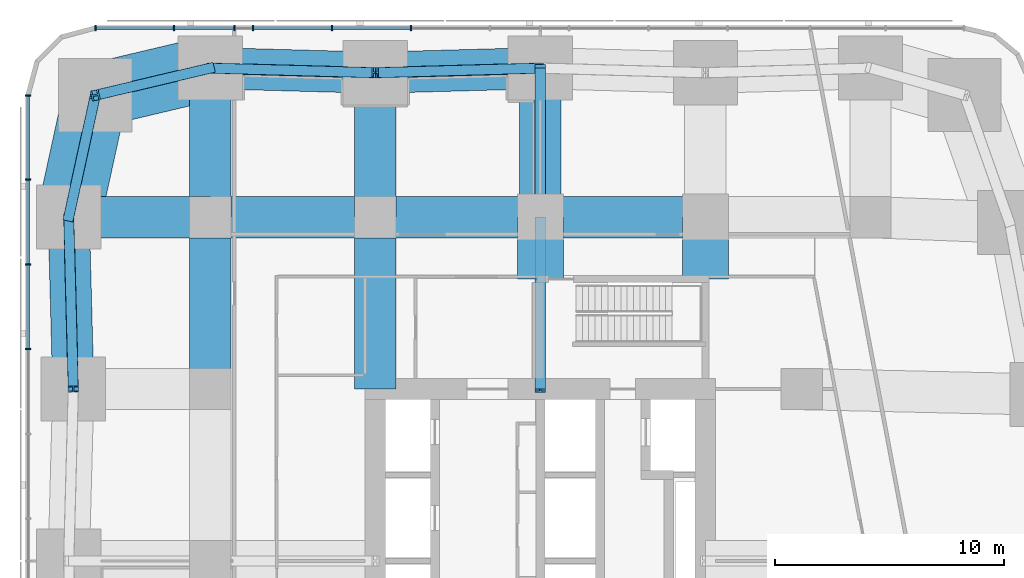
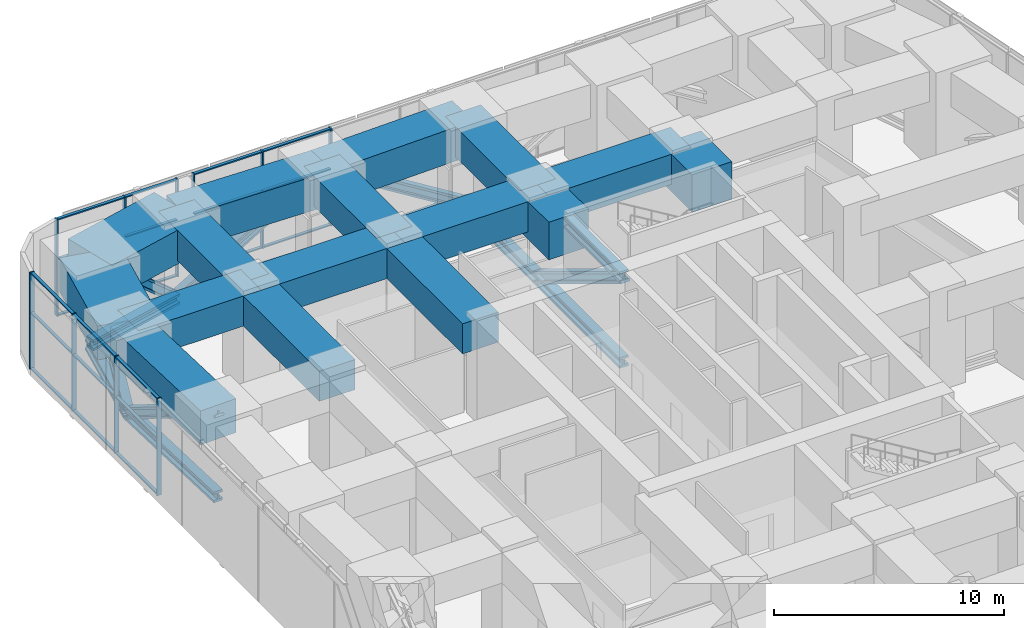
# One storey, part 7 of 20: 46 members, 16 beams, 2 elements without a shape of their own.
"""IFC4 building model written with IfcOpenShell, lengths in metres."""

from ifc_helpers import new_model, si_unit, direction, frame, origin, origin_2d, place, context, subcontext, project, spatial, rectangle, i_section, extrude, material, material_profile, profile_set, type_object, element, aggregate, save


model = new_model("IFC4")

# Units and contexts
model_context = context("Model", 3, precision=1e-05, world=origin(), true_north=direction((0.0, 1.0)))
body_context = subcontext(model_context, "Body", "Model", "MODEL_VIEW")
ifc_project = project(units=[si_unit("LENGTHUNIT", "METRE"), si_unit("AREAUNIT", "SQUARE_METRE"), si_unit("VOLUMEUNIT", "CUBIC_METRE"), si_unit("PLANEANGLEUNIT", "RADIAN"), si_unit("MASSUNIT", "GRAM", prefix="KILO")], contexts=[model_context])

# Site, building, storey
site_placement = place(None, origin())
site = spatial("IfcSite", under=ifc_project, at=site_placement, CompositionType="ELEMENT")
building_placement = place(site_placement, origin())
building = spatial("IfcBuilding", under=site, at=building_placement, Name="Sheger Commons Tower", CompositionType="ELEMENT")
storey_placement = place(building_placement, frame((0.0, 0.0, 72.5)))
storey = spatial("IfcBuildingStorey", under=building, at=storey_placement, Name="L18", CompositionType="ELEMENT", Elevation=72.5)

# Beams
ifc_material_1 = material(Name="Concrete C50/60", Category="concrete")
ifc_material_profile_1 = material_profile(ifc_material_1, rectangle(XDim=1.800048828125, YDim=1.60009765625, at=origin_2d()), Name="RC 1800x1600")
ifc_profile_set_1 = profile_set([ifc_material_profile_1], Name="Concrete C50/60")
beam_type_1 = type_object("IfcBeamType", Name="BEAM RC 1800x1600", PredefinedType="BEAM", material=ifc_profile_set_1)
beam_1_placement = place(storey_placement, frame((1.02490234375, 37.5, 4.35009765625), z_axis=(1.0, 0.0, 0.0), x_axis=(0.0, 1.0, 0.0)))
element("IfcBeam", 1, at=beam_1_placement, inside=storey, type_object=beam_type_1, Name="Beam 1/F-2/F under L19", PredefinedType="BEAM", context=body_context, shape_type="SweptSolid", body=[
    extrude(rectangle(XDim=1.800048828125, YDim=1.60009765625, at=origin_2d()), origin(), (0.0, 0.0, 1.0), 6.175048828125),
])
beam_2_placement = place(storey_placement, frame((7.199951171875, 37.5, 4.35009765625), z_axis=(1.0, 0.0, 0.0), x_axis=(0.0, 1.0, 0.0)))
element("IfcBeam", 2, at=beam_2_placement, inside=storey, type_object=beam_type_1, Name="Beam 2/F-3/F under L19", PredefinedType="BEAM", context=body_context, shape_type="SweptSolid", body=[
    extrude(rectangle(XDim=1.800048828125, YDim=1.60009765625, at=origin_2d()), origin(), (0.0, 0.0, 1.0), 7.199951171875),
])
beam_3_placement = place(storey_placement, frame((14.39990234375, 37.5, 4.35009765625), z_axis=(1.0, 0.0, 0.0), x_axis=(0.0, 1.0, 0.0)))
element("IfcBeam", 3, at=beam_3_placement, inside=storey, type_object=beam_type_1, Name="Beam 3/F-4/F under L19", PredefinedType="BEAM", context=body_context, shape_type="SweptSolid", body=[
    extrude(rectangle(XDim=1.800048828125, YDim=1.60009765625, at=origin_2d()), origin(), (0.0, 0.0, 1.0), 7.2001953125),
])
beam_4_placement = place(storey_placement, frame((21.60009765625, 37.5, 4.35009765625), z_axis=(1.0, 0.0, 0.0), x_axis=(0.0, 1.0, 0.0)))
element("IfcBeam", 4, at=beam_4_placement, inside=storey, type_object=beam_type_1, Name="Beam 4/F-5/F under L19", PredefinedType="BEAM", context=body_context, shape_type="SweptSolid", body=[
    extrude(rectangle(XDim=1.800048828125, YDim=1.60009765625, at=origin_2d()), origin(), (0.0, 0.0, 1.0), 7.199951171875),
])
beam_5_placement = place(storey_placement, frame((7.199951171875, 30.0, 4.35009765625), z_axis=(0.0, 1.0, 0.0), x_axis=(-1.0, 0.0, 0.0)))
element("IfcBeam", 5, at=beam_5_placement, inside=storey, type_object=beam_type_1, Name="Beam 2/E-2/F under L19", PredefinedType="BEAM", context=body_context, shape_type="SweptSolid", body=[
    extrude(rectangle(XDim=1.800048828125, YDim=1.60009765625, at=origin_2d()), origin(), (0.0, 0.0, 1.0), 7.5),
])
beam_6_placement = place(storey_placement, frame((7.199951171875, 37.5, 4.35009765625), z_axis=(0.0, 1.0, 0.0), x_axis=(-1.0, 0.0, 0.0)))
element("IfcBeam", 6, at=beam_6_placement, inside=storey, type_object=beam_type_1, Name="Beam 2/F-2/G under L19", PredefinedType="BEAM", context=body_context, shape_type="SweptSolid", body=[
    extrude(rectangle(XDim=1.800048828125, YDim=1.60009765625, at=origin_2d()), origin(), (0.0, 0.0, 1.0), 6.5),
])
beam_7_placement = place(storey_placement, frame((14.39990234375, 30.0, 4.35009765625), z_axis=(0.0, 1.0, 0.0), x_axis=(-1.0, 0.0, 0.0)))
element("IfcBeam", 7, at=beam_7_placement, inside=storey, type_object=beam_type_1, Name="Beam 3/E-3/F under L19", PredefinedType="BEAM", context=body_context, shape_type="SweptSolid", body=[
    extrude(rectangle(XDim=1.800048828125, YDim=1.60009765625, at=origin_2d()), origin(), (0.0, 0.0, 1.0), 7.5),
])
beam_8_placement = place(storey_placement, frame((14.39990234375, 37.5, 4.35009765625), z_axis=(0.0, 1.0, 0.0), x_axis=(-1.0, 0.0, 0.0)))
element("IfcBeam", 8, at=beam_8_placement, inside=storey, type_object=beam_type_1, Name="Beam 3/F-3/G under L19", PredefinedType="BEAM", context=body_context, shape_type="SweptSolid", body=[
    extrude(rectangle(XDim=1.800048828125, YDim=1.60009765625, at=origin_2d()), origin(), (0.0, 0.0, 1.0), 6.300048828125),
])
beam_9_placement = place(storey_placement, frame((21.60009765625, 37.5, 4.35009765625), z_axis=(0.0, 1.0, 0.0), x_axis=(-1.0, 0.0, 0.0)))
element("IfcBeam", 9, at=beam_9_placement, inside=storey, type_object=beam_type_1, Name="Beam 4/F-4/G under L19", PredefinedType="BEAM", context=body_context, shape_type="SweptSolid", body=[
    extrude(rectangle(XDim=1.800048828125, YDim=1.60009765625, at=origin_2d()), origin(), (0.0, 0.0, 1.0), 6.5),
])
ifc_material_2 = material(Name="Concrete C50/60", Category="concrete")
ifc_material_profile_2 = material_profile(ifc_material_2, rectangle(XDim=2.0, YDim=2.0, at=origin_2d()), Name="RC 2000x2000")
ifc_profile_set_2 = profile_set([ifc_material_profile_2], Name="Concrete C50/60")
beam_type_2 = type_object("IfcBeamType", Name="BEAM RC 2000x2000", PredefinedType="BEAM", material=ifc_profile_set_2)
for number, where, z_axis, x_axis, name in (
    (10, (21.60009765625, 34.800048828125, 4.14990234375), (0.0, 1.0, 0.0), (-1.0, 0.0, 0.0), "Beam 21.600,34.800-4/F under L19"),
    (11, (28.800048828125, 34.800048828125, 4.14990234375), (0.0, 1.0, 0.0), (-1.0, 0.0, 0.0), "Beam 28.800,34.800-5/F under L19"),
):
    element("IfcBeam", number, at=place(storey_placement, frame(where, z_axis=z_axis, x_axis=x_axis)), inside=storey, type_object=beam_type_2, Name=name, PredefinedType="BEAM", context=body_context, shape_type="SweptSolid", body=[
        extrude(rectangle(XDim=2.0, YDim=2.0, at=origin_2d()), origin(), (0.0, 0.0, 1.0), 2.699951171875),
    ])

# Members
ifc_material_3 = material(Name="Steel S460", Category="steel")
ifc_material_profile_3 = material_profile(ifc_material_3, i_section(OverallWidth=0.4541015625, OverallDepth=0.569091796875, WebThickness=0.077880859375, FlangeThickness=0.125, at=origin_2d()), Name="HD 400x1086")
ifc_profile_set_3 = profile_set([ifc_material_profile_3], Name="Steel S460")
member_type_1 = type_object("IfcMemberType", Name="BRACE HD 400x1086", PredefinedType="BRACE", material=ifc_profile_set_3)
member_1_placement = place(storey_placement, frame((21.60009765625, 30.0, 4.85009765625), z_axis=(0.0, 0.85496560345, -0.518684698942), x_axis=(-1.0, 0.0, 0.0)))
element("IfcMember", 12, at=member_1_placement, inside=storey, type_object=member_type_1, Name="Outrigger N diagonal 1", PredefinedType="BRACE", context=body_context, shape_type="SweptSolid", body=[
    extrude(i_section(OverallWidth=0.4541015625, OverallDepth=0.569091796875, WebThickness=0.077880859375, FlangeThickness=0.125, at=origin_2d()), origin(), (0.0, 0.0, 1.0), 8.772216796875),
])
member_2_placement = place(storey_placement, frame((21.60009765625, 37.5, 4.85009765625), z_axis=(0.0, 0.819229029338, -0.5734664746), x_axis=(-1.0, 0.0, 0.0)))
element("IfcMember", 13, at=member_2_placement, inside=storey, type_object=member_type_1, Name="Outrigger N diagonal 2", PredefinedType="BRACE", context=body_context, shape_type="SweptSolid", body=[
    extrude(i_section(OverallWidth=0.4541015625, OverallDepth=0.569091796875, WebThickness=0.077880859375, FlangeThickness=0.125, at=origin_2d()), origin(), (0.0, 0.0, 1.0), 7.934326171875),
])
ifc_material_4 = material(Name="Steel S460", Category="steel")
ifc_material_profile_4 = material_profile(ifc_material_4, i_section(OverallWidth=0.44189453125, OverallDepth=0.531005859375, WebThickness=0.06591796875, FlangeThickness=0.10595703125, at=origin_2d()), Name="HD 400x900")
ifc_profile_set_4 = profile_set([ifc_material_profile_4], Name="Steel S460")
member_type_2 = type_object("IfcMemberType", Name="BRACE HD 400x900", PredefinedType="BRACE", material=ifc_profile_set_4)
member_3_placement = place(storey_placement, frame((21.60009765625, 44.0, 0.300048828125), z_axis=(-0.845120489013, -0.023469201156, 0.534060441942), x_axis=(0.027759540951, -0.999614629688, 0.0)))
element("IfcMember", 14, at=member_3_placement, inside=storey, type_object=member_type_2, Name="Belt truss diagonal 21.600,44.000-14.400,43.800", PredefinedType="BRACE", context=body_context, shape_type="SweptSolid", body=[
    extrude(i_section(OverallWidth=0.44189453125, OverallDepth=0.531005859375, WebThickness=0.06591796875, FlangeThickness=0.10595703125, at=origin_2d()), origin(), (0.0, 0.0, 1.0), 8.519775390625),
])
member_4_placement = place(storey_placement, frame((7.199951171875, 44.0, 0.300048828125), z_axis=(0.845112299674, -0.023469769538, 0.534073375912), x_axis=(0.027760481514, 0.999614603568, 0.0)))
element("IfcMember", 15, at=member_4_placement, inside=storey, type_object=member_type_2, Name="Belt truss diagonal 14.400,43.800-7.200,44.000", PredefinedType="BRACE", context=body_context, shape_type="SweptSolid", body=[
    extrude(i_section(OverallWidth=0.44189453125, OverallDepth=0.531005859375, WebThickness=0.06591796875, FlangeThickness=0.10595703125, at=origin_2d()), origin(), (0.0, 0.0, 1.0), 8.51953125),
])
member_5_placement = place(storey_placement, frame((7.199951171875, 44.0, 0.300048828125), z_axis=(-0.729425342012, -0.172544593246, 0.661941865856), x_axis=(0.230195985701, -0.97314428949, 0.0)))
element("IfcMember", 16, at=member_5_placement, inside=storey, type_object=member_type_2, Name="Belt truss diagonal 7.200,44.000-2.186,42.814", PredefinedType="BRACE", context=body_context, shape_type="SweptSolid", body=[
    extrude(i_section(OverallWidth=0.44189453125, OverallDepth=0.531005859375, WebThickness=0.06591796875, FlangeThickness=0.10595703125, at=origin_2d()), origin(), (0.0, 0.0, 1.0), 6.873779296875),
])
member_6_placement = place(storey_placement, frame((1.02490234375, 37.5, 0.300048828125), z_axis=(0.163735815706, 0.749342675496, 0.641619932152), x_axis=(-0.976949769283, 0.213469314652, 0.0)))
element("IfcMember", 17, at=member_6_placement, inside=storey, type_object=member_type_2, Name="Belt truss diagonal 2.186,42.814-1+1025/F", PredefinedType="BRACE", context=body_context, shape_type="SweptSolid", body=[
    extrude(i_section(OverallWidth=0.44189453125, OverallDepth=0.531005859375, WebThickness=0.06591796875, FlangeThickness=0.10595703125, at=origin_2d()), origin(), (0.0, 0.0, 1.0), 7.091552734375),
])
member_7_placement = place(storey_placement, frame((1.02490234375, 37.5, 0.300048828125), z_axis=(0.022815406971, -0.854743051392, 0.518549682578), x_axis=(0.999643939919, 0.026683204125, 0.0)))
element("IfcMember", 18, at=member_7_placement, inside=storey, type_object=member_type_2, Name="Belt truss diagonal 1+1025/F-1+1225/E", PredefinedType="BRACE", context=body_context, shape_type="SweptSolid", body=[
    extrude(i_section(OverallWidth=0.44189453125, OverallDepth=0.531005859375, WebThickness=0.06591796875, FlangeThickness=0.10595703125, at=origin_2d()), origin(), (0.0, 0.0, 1.0), 8.774658203125),
])
ifc_material_5 = material(Name="Steel S460", Category="steel")
ifc_material_profile_5 = material_profile(ifc_material_5, i_section(OverallWidth=0.4541015625, OverallDepth=0.569091796875, WebThickness=0.077880859375, FlangeThickness=0.125, at=origin_2d()), Name="HD 400x1086")
ifc_profile_set_5 = profile_set([ifc_material_profile_5], Name="Steel S460")
member_type_3 = type_object("IfcMemberType", Name="CHORD HD 400x1086", PredefinedType="CHORD", material=ifc_profile_set_5)
member_8_placement = place(storey_placement, frame((21.60009765625, 44.0, 0.300048828125), z_axis=(-0.999614629688, -0.027759540951, 0.0), x_axis=(0.027759540951, -0.999614629688, 0.0)))
element("IfcMember", 19, at=member_8_placement, inside=storey, type_object=member_type_3, Name="Belt truss bottom chord 21.600,44.000-14.400,43.800", PredefinedType="CHORD", context=body_context, shape_type="SweptSolid", body=[
    extrude(i_section(OverallWidth=0.4541015625, OverallDepth=0.569091796875, WebThickness=0.077880859375, FlangeThickness=0.125, at=origin_2d()), origin(), (0.0, 0.0, 1.0), 7.202880859375),
])
member_9_placement = place(storey_placement, frame((14.39990234375, 43.800048828125, 0.300048828125), z_axis=(-0.999614603568, 0.027760481514, 0.0), x_axis=(-0.027760481514, -0.999614603568, 0.0)))
element("IfcMember", 20, at=member_9_placement, inside=storey, type_object=member_type_3, Name="Belt truss bottom chord 14.400,43.800-7.200,44.000", PredefinedType="CHORD", context=body_context, shape_type="SweptSolid", body=[
    extrude(i_section(OverallWidth=0.4541015625, OverallDepth=0.569091796875, WebThickness=0.077880859375, FlangeThickness=0.125, at=origin_2d()), origin(), (0.0, 0.0, 1.0), 7.20263671875),
])
member_10_placement = place(storey_placement, frame((7.199951171875, 44.0, 0.300048828125), z_axis=(-0.97314428949, -0.230195985701, 0.0), x_axis=(0.230195985701, -0.97314428949, 0.0)))
element("IfcMember", 21, at=member_10_placement, inside=storey, type_object=member_type_3, Name="Belt truss bottom chord 7.200,44.000-2.186,42.814", PredefinedType="CHORD", context=body_context, shape_type="SweptSolid", body=[
    extrude(i_section(OverallWidth=0.4541015625, OverallDepth=0.569091796875, WebThickness=0.077880859375, FlangeThickness=0.125, at=origin_2d()), origin(), (0.0, 0.0, 1.0), 5.15234375),
])
member_11_placement = place(storey_placement, frame((2.18603515625, 42.81396484375, 0.300048828125), z_axis=(-0.213469314652, -0.976949769283, 0.0), x_axis=(0.976949769283, -0.213469314652, 0.0)))
element("IfcMember", 22, at=member_11_placement, inside=storey, type_object=member_type_3, Name="Belt truss bottom chord 2.186,42.814-1+1025/F", PredefinedType="CHORD", context=body_context, shape_type="SweptSolid", body=[
    extrude(i_section(OverallWidth=0.4541015625, OverallDepth=0.569091796875, WebThickness=0.077880859375, FlangeThickness=0.125, at=origin_2d()), origin(), (0.0, 0.0, 1.0), 5.439453125),
])
member_12_placement = place(storey_placement, frame((1.02490234375, 37.5, 0.300048828125), z_axis=(0.026683204125, -0.999643939919, 0.0), x_axis=(0.999643939919, 0.026683204125, 0.0)))
element("IfcMember", 23, at=member_12_placement, inside=storey, type_object=member_type_3, Name="Belt truss bottom chord 1+1025/F-1+1225/E", PredefinedType="CHORD", context=body_context, shape_type="SweptSolid", body=[
    extrude(i_section(OverallWidth=0.4541015625, OverallDepth=0.569091796875, WebThickness=0.077880859375, FlangeThickness=0.125, at=origin_2d()), origin(), (0.0, 0.0, 1.0), 7.502685546875),
])
for number, where, z_axis, x_axis, name in (
    (24, (21.60009765625, 30.0, 0.300048828125), (0.0, 1.0, 0.0), (-1.0, 0.0, 0.0), "Outrigger N bottom chord 4/E-4/F"),
    (25, (21.60009765625, 30.0, 4.85009765625), (0.0, 1.0, 0.0), (-1.0, 0.0, 0.0), "Outrigger N top chord 4/E-4/F"),
):
    element("IfcMember", number, at=place(storey_placement, frame(where, z_axis=z_axis, x_axis=x_axis)), inside=storey, type_object=member_type_3, Name=name, PredefinedType="CHORD", context=body_context, shape_type="SweptSolid", body=[
        extrude(i_section(OverallWidth=0.4541015625, OverallDepth=0.569091796875, WebThickness=0.077880859375, FlangeThickness=0.125, at=origin_2d()), origin(), (0.0, 0.0, 1.0), 7.5),
    ])
member_13_placement = place(storey_placement, frame((21.60009765625, 37.5, 0.300048828125), z_axis=(0.0, 1.0, 0.0), x_axis=(-1.0, 0.0, 0.0)))
element("IfcMember", 26, at=member_13_placement, inside=storey, type_object=member_type_3, Name="Outrigger N bottom chord 4/F-21.600,44.000", PredefinedType="CHORD", context=body_context, shape_type="SweptSolid", body=[
    extrude(i_section(OverallWidth=0.4541015625, OverallDepth=0.569091796875, WebThickness=0.077880859375, FlangeThickness=0.125, at=origin_2d()), origin(), (0.0, 0.0, 1.0), 6.5),
])

# Curtain wall, members
ifc_material_6 = material(Name="Black aluminium curtain wall, dark tinted glazing", Category="aluminium")
curtain_wall_type = type_object("IfcCurtainWallType", Name="CURTAIN WALL CW3 SKY FLOOR", PredefinedType="USERDEFINED", material=ifc_material_6)
curtain_wall_1_placement = place(storey_placement, origin())
curtain_wall_1 = element("IfcCurtainWall", 27, at=curtain_wall_1_placement, inside=storey, type_object=curtain_wall_type, Name="Curtain Wall Cw3 Sky Floor N1 L18", ObjectType="UNITISED CURTAIN WALL", PredefinedType="USERDEFINED")
ifc_material_7 = material(Name="Black anodised aluminium", Category="aluminium")
ifc_material_profile_6 = material_profile(ifc_material_7, rectangle(XDim=0.22509765625, YDim=0.06494140625, at=origin_2d()), Name="AL 65x225")
ifc_profile_set_6 = profile_set([ifc_material_profile_6], Name="Black anodised aluminium")
member_type_4 = type_object("IfcMemberType", Name="MULLION AL 65x225", PredefinedType="MULLION", material=ifc_profile_set_6)
member_14_placement = place(storey_placement, frame((15.9599609375, 45.75, 0.0), z_axis=(0.0, 0.0, 1.0), x_axis=(0.0, -1.0, 0.0)))
member_14 = element("IfcMember", 28, at=member_14_placement, type_object=member_type_4, Name="CW3 mullion 9", PredefinedType="MULLION", context=body_context, shape_type="SweptSolid", body=[
    extrude(rectangle(XDim=0.22509765625, YDim=0.06494140625, at=origin_2d()), origin(), (0.0, 0.0, 1.0), 5.14990234375),
])
member_15_placement = place(storey_placement, frame((12.510986328125, 45.75, 0.0), z_axis=(0.0, 0.0, 1.0), x_axis=(0.0, -1.0, 0.0)))
member_15 = element("IfcMember", 29, at=member_15_placement, type_object=member_type_4, Name="CW3 mullion 10", PredefinedType="MULLION", context=body_context, shape_type="SweptSolid", body=[
    extrude(rectangle(XDim=0.22509765625, YDim=0.06494140625, at=origin_2d()), origin(), (0.0, 0.0, 1.0), 5.14990234375),
])
member_16_placement = place(storey_placement, frame((9.06201171875, 45.75, 0.0), z_axis=(0.0, 0.0, 1.0), x_axis=(0.0, -1.0, 0.0)))
member_16 = element("IfcMember", 30, at=member_16_placement, type_object=member_type_4, Name="CW3 mullion 11", PredefinedType="MULLION", context=body_context, shape_type="SweptSolid", body=[
    extrude(rectangle(XDim=0.22509765625, YDim=0.06494140625, at=origin_2d()), origin(), (0.0, 0.0, 1.0), 5.14990234375),
])
member_17_placement = place(storey_placement, frame((8.25, 45.75, 0.0), z_axis=(0.0, 0.0, 1.0), x_axis=(0.0, -1.0, 0.0)))
member_17 = element("IfcMember", 31, at=member_17_placement, type_object=member_type_4, Name="CW3 mullion 12", PredefinedType="MULLION", context=body_context, shape_type="SweptSolid", body=[
    extrude(rectangle(XDim=0.22509765625, YDim=0.06494140625, at=origin_2d()), origin(), (0.0, 0.0, 1.0), 5.14990234375),
])
member_18_placement = place(storey_placement, frame((5.612060546875, 45.75, 0.0), z_axis=(0.0, 0.0, 1.0), x_axis=(0.0, -1.0, 0.0)))
member_18 = element("IfcMember", 32, at=member_18_placement, type_object=member_type_4, Name="CW3 mullion 13", PredefinedType="MULLION", context=body_context, shape_type="SweptSolid", body=[
    extrude(rectangle(XDim=0.22509765625, YDim=0.06494140625, at=origin_2d()), origin(), (0.0, 0.0, 1.0), 5.14990234375),
])
member_19_placement = place(storey_placement, frame((2.195556640625, 45.75, 0.0), z_axis=(0.0, 0.0, 1.0), x_axis=(0.0, -1.0, 0.0)))
member_19 = element("IfcMember", 33, at=member_19_placement, type_object=member_type_4, Name="CW3 mullion 14", PredefinedType="MULLION", context=body_context, shape_type="SweptSolid", body=[
    extrude(rectangle(XDim=0.22509765625, YDim=0.06494140625, at=origin_2d()), origin(), (0.0, 0.0, 1.0), 5.14990234375),
])

curtain_wall_2_placement = place(storey_placement, origin())
curtain_wall_2 = element("IfcCurtainWall", 34, at=curtain_wall_2_placement, inside=storey, type_object=curtain_wall_type, Name="Curtain Wall Cw3 Sky Floor W1 L18", ObjectType="UNITISED CURTAIN WALL", PredefinedType="USERDEFINED")
member_20_placement = place(storey_placement, frame((-0.75, 42.804443359375, 0.0), z_axis=(0.0, 0.0, 1.0), x_axis=(1.0, 0.0, 0.0)))
member_20 = element("IfcMember", 35, at=member_20_placement, type_object=member_type_4, Name="CW3 mullion 1", PredefinedType="MULLION", context=body_context, shape_type="SweptSolid", body=[
    extrude(rectangle(XDim=0.22509765625, YDim=0.06494140625, at=origin_2d()), origin(), (0.0, 0.0, 1.0), 5.14990234375),
])
member_21_placement = place(storey_placement, frame((-0.75, 39.138916015625, 0.0), z_axis=(0.0, 0.0, 1.0), x_axis=(1.0, 0.0, 0.0)))
member_21 = element("IfcMember", 36, at=member_21_placement, type_object=member_type_4, Name="CW3 mullion 2", PredefinedType="MULLION", context=body_context, shape_type="SweptSolid", body=[
    extrude(rectangle(XDim=0.22509765625, YDim=0.06494140625, at=origin_2d()), origin(), (0.0, 0.0, 1.0), 5.14990234375),
])
member_22_placement = place(storey_placement, frame((-0.75, 35.44189453125, 0.0), z_axis=(0.0, 0.0, 1.0), x_axis=(1.0, 0.0, 0.0)))
member_22 = element("IfcMember", 37, at=member_22_placement, type_object=member_type_4, Name="CW3 mullion 3", PredefinedType="MULLION", context=body_context, shape_type="SweptSolid", body=[
    extrude(rectangle(XDim=0.22509765625, YDim=0.06494140625, at=origin_2d()), origin(), (0.0, 0.0, 1.0), 5.14990234375),
])
member_23_placement = place(storey_placement, frame((-0.75, 31.743896484375, 0.0), z_axis=(0.0, 0.0, 1.0), x_axis=(1.0, 0.0, 0.0)))
member_23 = element("IfcMember", 38, at=member_23_placement, type_object=member_type_4, Name="CW3 mullion 4", PredefinedType="MULLION", context=body_context, shape_type="SweptSolid", body=[
    extrude(rectangle(XDim=0.22509765625, YDim=0.06494140625, at=origin_2d()), origin(), (0.0, 0.0, 1.0), 5.14990234375),
])

# Beams
ifc_material_8 = material(Name="Concrete C50/60", Category="concrete")
ifc_material_profile_7 = material_profile(ifc_material_8, rectangle(XDim=1.800048828125, YDim=1.800048828125, at=origin_2d()), Name="RC 1800x1800")
ifc_profile_set_7 = profile_set([ifc_material_profile_7], Name="Concrete C50/60")
beam_type_3 = type_object("IfcBeamType", Name="SPANDREL RC 1800x1800", PredefinedType="SPANDREL", material=ifc_profile_set_7)
beam_10_placement = place(storey_placement, frame((21.60009765625, 44.0, 4.25), z_axis=(-0.999614629688, -0.027759540951, 0.0), x_axis=(0.027759540951, -0.999614629688, 0.0)))
element("IfcBeam", 39, at=beam_10_placement, inside=storey, type_object=beam_type_3, Name="Beam 4/G-3/G under L19", PredefinedType="SPANDREL", context=body_context, shape_type="SweptSolid", body=[
    extrude(rectangle(XDim=1.800048828125, YDim=1.800048828125, at=origin_2d()), origin(), (0.0, 0.0, 1.0), 7.202880859375),
])
beam_11_placement = place(storey_placement, frame((14.39990234375, 43.800048828125, 4.25), z_axis=(-0.999614603568, 0.027760481514, 0.0), x_axis=(-0.027760481514, -0.999614603568, 0.0)))
element("IfcBeam", 40, at=beam_11_placement, inside=storey, type_object=beam_type_3, Name="Beam 3/G-2/G under L19", PredefinedType="SPANDREL", context=body_context, shape_type="SweptSolid", body=[
    extrude(rectangle(XDim=1.800048828125, YDim=1.800048828125, at=origin_2d()), origin(), (0.0, 0.0, 1.0), 7.20263671875),
])
beam_12_placement = place(storey_placement, frame((1.02490234375, 37.5, 4.25), z_axis=(0.026683204125, -0.999643939919, 0.0), x_axis=(0.999643939919, 0.026683204125, 0.0)))
element("IfcBeam", 41, at=beam_12_placement, inside=storey, type_object=beam_type_3, Name="Beam 1/F-1/E under L19", PredefinedType="SPANDREL", context=body_context, shape_type="SweptSolid", body=[
    extrude(rectangle(XDim=1.800048828125, YDim=1.800048828125, at=origin_2d()), origin(), (0.0, 0.0, 1.0), 7.502685546875),
])
ifc_material_9 = material(Name="Concrete C50/60", Category="concrete")
ifc_material_profile_8 = material_profile(ifc_material_9, rectangle(XDim=2.800048828125, YDim=1.800048828125, at=origin_2d()), Name="RC 2800x1800")
ifc_profile_set_8 = profile_set([ifc_material_profile_8], Name="Concrete C50/60")
beam_type_4 = type_object("IfcBeamType", Name="SPANDREL RC 2800x1800", PredefinedType="SPANDREL", material=ifc_profile_set_8)
beam_13_placement = place(storey_placement, frame((7.199951171875, 44.0, 4.25), z_axis=(-0.97314428949, -0.230195985701, 0.0), x_axis=(0.230195985701, -0.97314428949, 0.0)))
element("IfcBeam", 42, at=beam_13_placement, inside=storey, type_object=beam_type_4, Name="Beam 2/G-0.630,44.370 under L19", PredefinedType="SPANDREL", context=body_context, shape_type="SweptSolid", body=[
    extrude(rectangle(XDim=2.800048828125, YDim=1.800048828125, at=origin_2d()), origin(), (0.0, 0.0, 1.0), 5.15234375),
])
beam_14_placement = place(storey_placement, frame((2.18603515625, 42.81396484375, 4.25), z_axis=(-0.213469314652, -0.976949769283, 0.0), x_axis=(0.976949769283, -0.213469314652, 0.0)))
element("IfcBeam", 43, at=beam_14_placement, inside=storey, type_object=beam_type_4, Name="Beam 0.630,44.370-1/F under L19", PredefinedType="SPANDREL", context=body_context, shape_type="SweptSolid", body=[
    extrude(rectangle(XDim=2.800048828125, YDim=1.800048828125, at=origin_2d()), origin(), (0.0, 0.0, 1.0), 5.439453125),
])

# Member
ifc_material_10 = material(Name="Black anodised aluminium", Category="aluminium")
ifc_material_profile_9 = material_profile(ifc_material_10, rectangle(XDim=0.14990234375, YDim=0.06494140625, at=origin_2d()), Name="AL 65x150")
ifc_profile_set_9 = profile_set([ifc_material_profile_9], Name="Black anodised aluminium")
member_type_5 = type_object("IfcMemberType", Name="TRANSOM AL 65x150", PredefinedType="USERDEFINED", material=ifc_profile_set_9)
member_24_placement = place(storey_placement, frame((15.927490234375, 45.75, 0.032470703125), z_axis=(-1.0, 0.0, 0.0), x_axis=(0.0, -1.0, 0.0)))
member_24 = element("IfcMember", 44, at=member_24_placement, type_object=member_type_5, Name="CW3 transom 9.1", ObjectType="TRANSOM", PredefinedType="USERDEFINED", context=body_context, shape_type="SweptSolid", body=[
    extrude(rectangle(XDim=0.14990234375, YDim=0.06494140625, at=origin_2d()), origin(), (0.0, 0.0, 1.0), 3.384033203125),
])

member_25_placement = place(storey_placement, frame((15.927490234375, 45.75, 3.0), z_axis=(-1.0, 0.0, 0.0), x_axis=(0.0, -1.0, 0.0)))
member_25 = element("IfcMember", 45, at=member_25_placement, type_object=member_type_5, Name="CW3 transom 9.2", ObjectType="TRANSOM", PredefinedType="USERDEFINED", context=body_context, shape_type="SweptSolid", body=[
    extrude(rectangle(XDim=0.14990234375, YDim=0.06494140625, at=origin_2d()), origin(), (0.0, 0.0, 1.0), 3.384033203125),
])

member_26_placement = place(storey_placement, frame((15.927490234375, 45.75, 5.117431640625), z_axis=(-1.0, 0.0, 0.0), x_axis=(0.0, -1.0, 0.0)))
member_26 = element("IfcMember", 46, at=member_26_placement, type_object=member_type_5, Name="CW3 transom 9.3", ObjectType="TRANSOM", PredefinedType="USERDEFINED", context=body_context, shape_type="SweptSolid", body=[
    extrude(rectangle(XDim=0.14990234375, YDim=0.06494140625, at=origin_2d()), origin(), (0.0, 0.0, 1.0), 3.384033203125),
])

member_27_placement = place(storey_placement, frame((12.478515625, 45.75, 0.032470703125), z_axis=(-1.0, 0.0, 0.0), x_axis=(0.0, -1.0, 0.0)))
member_27 = element("IfcMember", 47, at=member_27_placement, type_object=member_type_5, Name="CW3 transom 10.1", ObjectType="TRANSOM", PredefinedType="USERDEFINED", context=body_context, shape_type="SweptSolid", body=[
    extrude(rectangle(XDim=0.14990234375, YDim=0.06494140625, at=origin_2d()), origin(), (0.0, 0.0, 1.0), 3.384033203125),
])

member_28_placement = place(storey_placement, frame((12.478515625, 45.75, 3.0), z_axis=(-1.0, 0.0, 0.0), x_axis=(0.0, -1.0, 0.0)))
member_28 = element("IfcMember", 48, at=member_28_placement, type_object=member_type_5, Name="CW3 transom 10.2", ObjectType="TRANSOM", PredefinedType="USERDEFINED", context=body_context, shape_type="SweptSolid", body=[
    extrude(rectangle(XDim=0.14990234375, YDim=0.06494140625, at=origin_2d()), origin(), (0.0, 0.0, 1.0), 3.384033203125),
])

member_29_placement = place(storey_placement, frame((12.478515625, 45.75, 5.117431640625), z_axis=(-1.0, 0.0, 0.0), x_axis=(0.0, -1.0, 0.0)))
member_29 = element("IfcMember", 49, at=member_29_placement, type_object=member_type_5, Name="CW3 transom 10.3", ObjectType="TRANSOM", PredefinedType="USERDEFINED", context=body_context, shape_type="SweptSolid", body=[
    extrude(rectangle(XDim=0.14990234375, YDim=0.06494140625, at=origin_2d()), origin(), (0.0, 0.0, 1.0), 3.384033203125),
])

member_30_placement = place(storey_placement, frame((8.217529296875, 45.75, 0.032470703125), z_axis=(-1.0, 0.0, 0.0), x_axis=(0.0, -1.0, 0.0)))
member_30 = element("IfcMember", 50, at=member_30_placement, type_object=member_type_5, Name="CW3 transom 12.1", ObjectType="TRANSOM", PredefinedType="USERDEFINED", context=body_context, shape_type="SweptSolid", body=[
    extrude(rectangle(XDim=0.14990234375, YDim=0.06494140625, at=origin_2d()), origin(), (0.0, 0.0, 1.0), 2.572998046875),
])

member_31_placement = place(storey_placement, frame((8.217529296875, 45.75, 3.0), z_axis=(-1.0, 0.0, 0.0), x_axis=(0.0, -1.0, 0.0)))
member_31 = element("IfcMember", 51, at=member_31_placement, type_object=member_type_5, Name="CW3 transom 12.2", ObjectType="TRANSOM", PredefinedType="USERDEFINED", context=body_context, shape_type="SweptSolid", body=[
    extrude(rectangle(XDim=0.14990234375, YDim=0.06494140625, at=origin_2d()), origin(), (0.0, 0.0, 1.0), 2.572998046875),
])

member_32_placement = place(storey_placement, frame((8.217529296875, 45.75, 5.117431640625), z_axis=(-1.0, 0.0, 0.0), x_axis=(0.0, -1.0, 0.0)))
member_32 = element("IfcMember", 52, at=member_32_placement, type_object=member_type_5, Name="CW3 transom 12.3", ObjectType="TRANSOM", PredefinedType="USERDEFINED", context=body_context, shape_type="SweptSolid", body=[
    extrude(rectangle(XDim=0.14990234375, YDim=0.06494140625, at=origin_2d()), origin(), (0.0, 0.0, 1.0), 2.572998046875),
])

member_33_placement = place(storey_placement, frame((5.57958984375, 45.75, 0.032470703125), z_axis=(-1.0, 0.0, 0.0), x_axis=(0.0, -1.0, 0.0)))
member_33 = element("IfcMember", 53, at=member_33_placement, type_object=member_type_5, Name="CW3 transom 13.1", ObjectType="TRANSOM", PredefinedType="USERDEFINED", context=body_context, shape_type="SweptSolid", body=[
    extrude(rectangle(XDim=0.14990234375, YDim=0.06494140625, at=origin_2d()), origin(), (0.0, 0.0, 1.0), 3.3515625),
])

member_34_placement = place(storey_placement, frame((5.57958984375, 45.75, 3.0), z_axis=(-1.0, 0.0, 0.0), x_axis=(0.0, -1.0, 0.0)))
member_34 = element("IfcMember", 54, at=member_34_placement, type_object=member_type_5, Name="CW3 transom 13.2", ObjectType="TRANSOM", PredefinedType="USERDEFINED", context=body_context, shape_type="SweptSolid", body=[
    extrude(rectangle(XDim=0.14990234375, YDim=0.06494140625, at=origin_2d()), origin(), (0.0, 0.0, 1.0), 3.3515625),
])

member_35_placement = place(storey_placement, frame((5.57958984375, 45.75, 5.117431640625), z_axis=(-1.0, 0.0, 0.0), x_axis=(0.0, -1.0, 0.0)))
member_35 = element("IfcMember", 55, at=member_35_placement, type_object=member_type_5, Name="CW3 transom 13.3", ObjectType="TRANSOM", PredefinedType="USERDEFINED", context=body_context, shape_type="SweptSolid", body=[
    extrude(rectangle(XDim=0.14990234375, YDim=0.06494140625, at=origin_2d()), origin(), (0.0, 0.0, 1.0), 3.3515625),
])

aggregate(curtain_wall_1, [member_14, member_15, member_16, member_17, member_18, member_19, member_24, member_25, member_26, member_27, member_28, member_29, member_30, member_31, member_32, member_33, member_34, member_35])

member_36_placement = place(storey_placement, frame((-0.75, 42.77197265625, 0.032470703125), z_axis=(0.0, -1.0, 0.0), x_axis=(1.0, 0.0, 0.0)))
member_36 = element("IfcMember", 56, at=member_36_placement, type_object=member_type_5, Name="CW3 transom 1.1", ObjectType="TRANSOM", PredefinedType="USERDEFINED", context=body_context, shape_type="SweptSolid", body=[
    extrude(rectangle(XDim=0.14990234375, YDim=0.06494140625, at=origin_2d()), origin(), (0.0, 0.0, 1.0), 3.6005859375),
])

member_37_placement = place(storey_placement, frame((-0.75, 42.77197265625, 3.0), z_axis=(0.0, -1.0, 0.0), x_axis=(1.0, 0.0, 0.0)))
member_37 = element("IfcMember", 57, at=member_37_placement, type_object=member_type_5, Name="CW3 transom 1.2", ObjectType="TRANSOM", PredefinedType="USERDEFINED", context=body_context, shape_type="SweptSolid", body=[
    extrude(rectangle(XDim=0.14990234375, YDim=0.06494140625, at=origin_2d()), origin(), (0.0, 0.0, 1.0), 3.6005859375),
])

member_38_placement = place(storey_placement, frame((-0.75, 42.77197265625, 5.117431640625), z_axis=(0.0, -1.0, 0.0), x_axis=(1.0, 0.0, 0.0)))
member_38 = element("IfcMember", 58, at=member_38_placement, type_object=member_type_5, Name="CW3 transom 1.3", ObjectType="TRANSOM", PredefinedType="USERDEFINED", context=body_context, shape_type="SweptSolid", body=[
    extrude(rectangle(XDim=0.14990234375, YDim=0.06494140625, at=origin_2d()), origin(), (0.0, 0.0, 1.0), 3.6005859375),
])

member_39_placement = place(storey_placement, frame((-0.75, 39.1064453125, 0.032470703125), z_axis=(0.0, -1.0, 0.0), x_axis=(1.0, 0.0, 0.0)))
member_39 = element("IfcMember", 59, at=member_39_placement, type_object=member_type_5, Name="CW3 transom 2.1", ObjectType="TRANSOM", PredefinedType="USERDEFINED", context=body_context, shape_type="SweptSolid", body=[
    extrude(rectangle(XDim=0.14990234375, YDim=0.06494140625, at=origin_2d()), origin(), (0.0, 0.0, 1.0), 3.6318359375),
])

member_40_placement = place(storey_placement, frame((-0.75, 39.1064453125, 3.0), z_axis=(0.0, -1.0, 0.0), x_axis=(1.0, 0.0, 0.0)))
member_40 = element("IfcMember", 60, at=member_40_placement, type_object=member_type_5, Name="CW3 transom 2.2", ObjectType="TRANSOM", PredefinedType="USERDEFINED", context=body_context, shape_type="SweptSolid", body=[
    extrude(rectangle(XDim=0.14990234375, YDim=0.06494140625, at=origin_2d()), origin(), (0.0, 0.0, 1.0), 3.6318359375),
])

member_41_placement = place(storey_placement, frame((-0.75, 39.1064453125, 5.117431640625), z_axis=(0.0, -1.0, 0.0), x_axis=(1.0, 0.0, 0.0)))
member_41 = element("IfcMember", 61, at=member_41_placement, type_object=member_type_5, Name="CW3 transom 2.3", ObjectType="TRANSOM", PredefinedType="USERDEFINED", context=body_context, shape_type="SweptSolid", body=[
    extrude(rectangle(XDim=0.14990234375, YDim=0.06494140625, at=origin_2d()), origin(), (0.0, 0.0, 1.0), 3.6318359375),
])

member_42_placement = place(storey_placement, frame((-0.75, 35.409423828125, 0.032470703125), z_axis=(0.0, -1.0, 0.0), x_axis=(1.0, 0.0, 0.0)))
member_42 = element("IfcMember", 62, at=member_42_placement, type_object=member_type_5, Name="CW3 transom 3.1", ObjectType="TRANSOM", PredefinedType="USERDEFINED", context=body_context, shape_type="SweptSolid", body=[
    extrude(rectangle(XDim=0.14990234375, YDim=0.06494140625, at=origin_2d()), origin(), (0.0, 0.0, 1.0), 3.6328125),
])

member_43_placement = place(storey_placement, frame((-0.75, 35.409423828125, 3.0), z_axis=(0.0, -1.0, 0.0), x_axis=(1.0, 0.0, 0.0)))
member_43 = element("IfcMember", 63, at=member_43_placement, type_object=member_type_5, Name="CW3 transom 3.2", ObjectType="TRANSOM", PredefinedType="USERDEFINED", context=body_context, shape_type="SweptSolid", body=[
    extrude(rectangle(XDim=0.14990234375, YDim=0.06494140625, at=origin_2d()), origin(), (0.0, 0.0, 1.0), 3.6328125),
])

member_44_placement = place(storey_placement, frame((-0.75, 35.409423828125, 5.117431640625), z_axis=(0.0, -1.0, 0.0), x_axis=(1.0, 0.0, 0.0)))
member_44 = element("IfcMember", 64, at=member_44_placement, type_object=member_type_5, Name="CW3 transom 3.3", ObjectType="TRANSOM", PredefinedType="USERDEFINED", context=body_context, shape_type="SweptSolid", body=[
    extrude(rectangle(XDim=0.14990234375, YDim=0.06494140625, at=origin_2d()), origin(), (0.0, 0.0, 1.0), 3.6328125),
])

aggregate(curtain_wall_2, [member_20, member_21, member_22, member_23, member_36, member_37, member_38, member_39, member_40, member_41, member_42, member_43, member_44])

save(model, "model.ifc")
